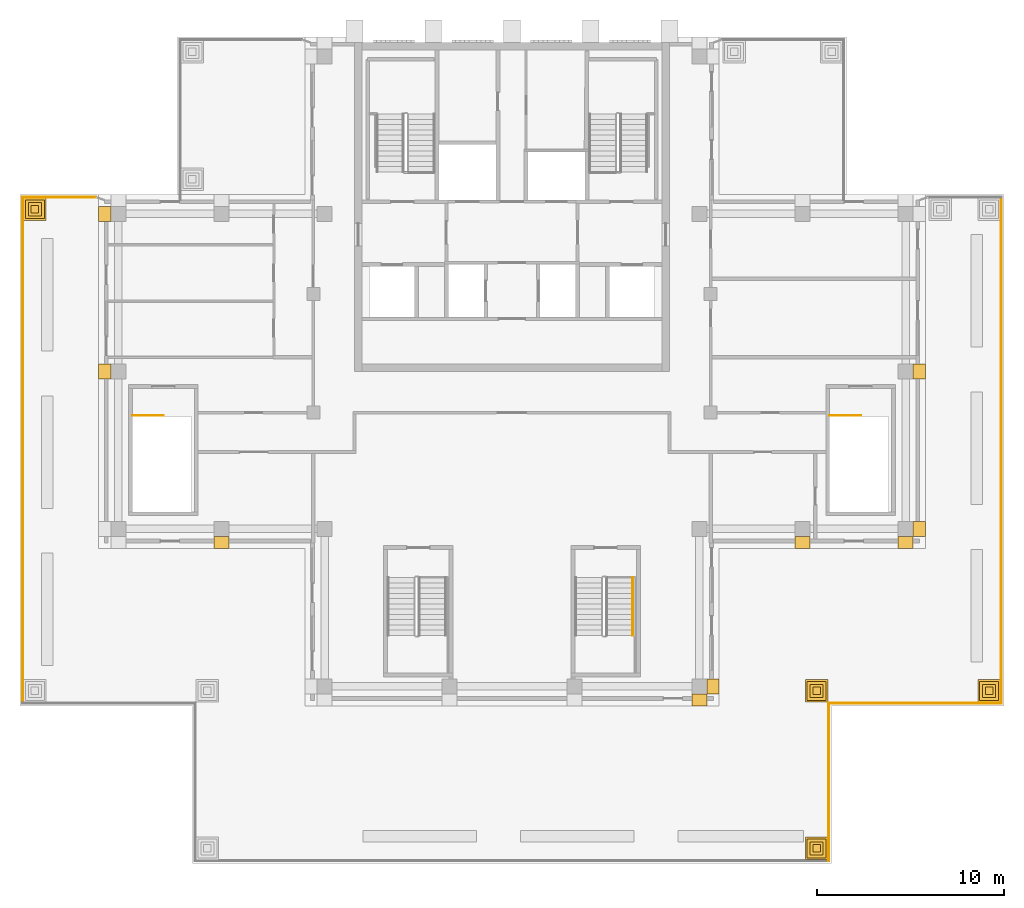
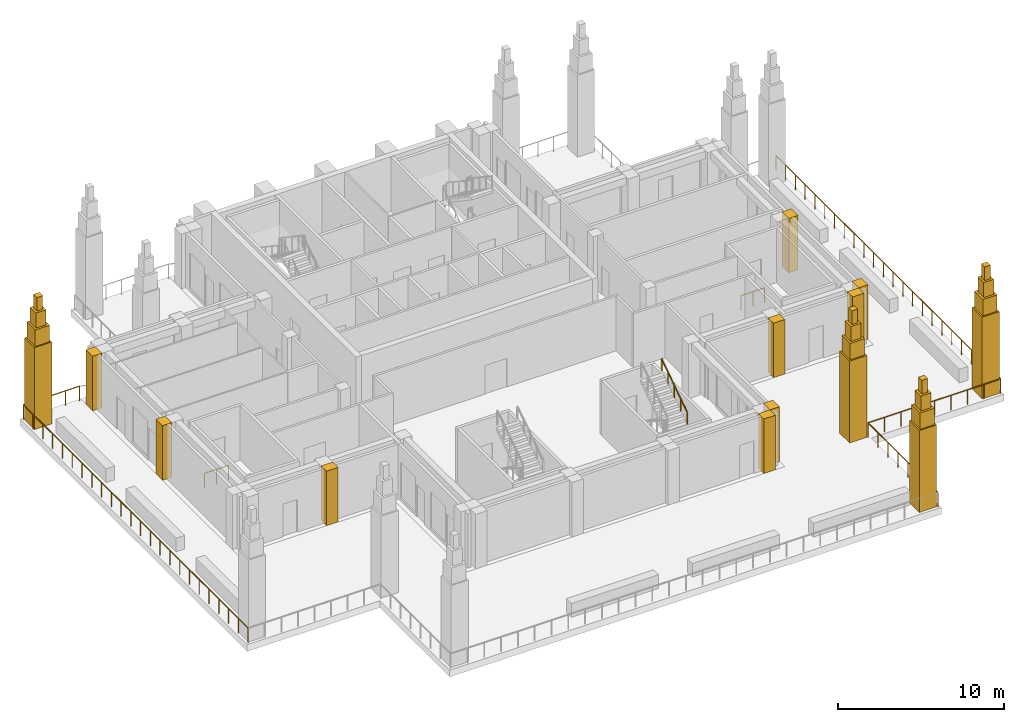
# One storey, part 8 of 10: 25 coverings, 8 railings.
"""IFC4 building model written with IfcOpenShell, lengths in metres."""

from ifc_helpers import new_model, si_unit, direction, frame, origin, origin_2d, place, context, subcontext, project, spatial, polyline, rectangle, outline, extrude, material, type_object, element, save


model = new_model("IFC4")

# Units and contexts
model_context = context("Model", 3, precision=1e-05, world=origin(), true_north=direction((0.0, 1.0)))
body_context = subcontext(model_context, "Body", "Model", "MODEL_VIEW")
ifc_project = project(units=[si_unit("LENGTHUNIT", "METRE"), si_unit("AREAUNIT", "SQUARE_METRE"), si_unit("VOLUMEUNIT", "CUBIC_METRE"), si_unit("PLANEANGLEUNIT", "RADIAN"), si_unit("MASSUNIT", "GRAM", prefix="KILO")], contexts=[model_context])

# Site, building, storey
site_placement = place(None, origin())
site = spatial("IfcSite", under=ifc_project, at=site_placement, CompositionType="ELEMENT")
building_placement = place(site_placement, origin())
building = spatial("IfcBuilding", under=site, at=building_placement, Name="Vermilion Ogive Tower", CompositionType="ELEMENT")
storey_placement = place(building_placement, frame((0.0, 0.0, 269.35009765625)))
storey = spatial("IfcBuildingStorey", under=building, at=storey_placement, Name="L71", CompositionType="ELEMENT", Elevation=269.35009765625)

# Railings
ifc_material_1 = material(Name="Steel S355 painted", Category="steel")
railing_type_1 = type_object("IfcRailingType", Name="Stair guard 1100", PredefinedType="GUARDRAIL", material=ifc_material_1)
railing_1_placement = place(storey_placement, frame((16.949951171875, 1.85009765625, 0.0)))
element("IfcRailing", 1, at=railing_1_placement, inside=storey, type_object=railing_type_1, Name="L71 ST8 top well guard 1", PredefinedType="GUARDRAIL", context=body_context, shape_type="SweptSolid", body=[
    extrude(rectangle(XDim=0.048095703125, YDim=0.048095703125, at=origin_2d()), frame((0.0, 0.0, 1.076171875), z_axis=(1.0, 0.0, 0.0), x_axis=(0.0, 1.0, 0.0)), (0.0, 0.0, 1.0), 1.650146484375),
    extrude(rectangle(XDim=0.0419921875, YDim=0.0419921875, at=origin_2d()), origin(), (0.0, 0.0, 1.0), 1.052001953125),
    extrude(rectangle(XDim=0.0419921875, YDim=0.0419921875, at=origin_2d()), frame((0.8251953125, 0.0, 0.0)), (0.0, 0.0, 1.0), 1.052001953125),
    extrude(rectangle(XDim=0.0419921875, YDim=0.0419921875, at=origin_2d()), frame((1.650146484375, 0.0, 0.0)), (0.0, 0.0, 1.0), 1.052001953125),
])
railing_2_placement = place(storey_placement, frame((-20.25, 1.85009765625, 0.0)))
element("IfcRailing", 2, at=railing_2_placement, inside=storey, type_object=railing_type_1, Name="L71 ST9 top well guard 1", PredefinedType="GUARDRAIL", context=body_context, shape_type="SweptSolid", body=[
    extrude(rectangle(XDim=0.048095703125, YDim=0.048095703125, at=origin_2d()), frame((0.0, 0.0, 1.076171875), z_axis=(1.0, 0.0, 0.0), x_axis=(0.0, 1.0, 0.0)), (0.0, 0.0, 1.0), 1.64990234375),
    extrude(rectangle(XDim=0.0419921875, YDim=0.0419921875, at=origin_2d()), origin(), (0.0, 0.0, 1.0), 1.052001953125),
    extrude(rectangle(XDim=0.0419921875, YDim=0.0419921875, at=origin_2d()), frame((0.824951171875, 0.0, 0.0)), (0.0, 0.0, 1.0), 1.052001953125),
    extrude(rectangle(XDim=0.0419921875, YDim=0.0419921875, at=origin_2d()), frame((1.64990234375, 0.0, 0.0)), (0.0, 0.0, 1.0), 1.052001953125),
])
ifc_material_2 = material(Name="Stainless steel", Category="steel")
railing_type_2 = type_object("IfcRailingType", Name="Stair handrail 900", PredefinedType="HANDRAIL", material=ifc_material_2)
railing_3_placement = place(storey_placement, frame((6.449951171875, -9.8798828125, 2.4375)))
element("IfcRailing", 3, at=railing_3_placement, inside=storey, type_object=railing_type_2, Name="L71 ST6 stair handrail 2", PredefinedType="HANDRAIL", context=body_context, shape_type="SweptSolid", body=[
    extrude(rectangle(XDim=0.048095703125, YDim=0.048095703125, at=origin_2d()), frame((0.0, 0.0, 0.8759765625), z_axis=(0.0, 0.830893310487, 0.556431762742), x_axis=(-1.0, 0.0, 0.0)), (0.0, 0.0, 1.0), 3.70654296875),
    extrude(rectangle(XDim=0.0419921875, YDim=0.0419921875, at=origin_2d()), origin(), (0.0, 0.0, 1.0), 0.851806640625),
    extrude(rectangle(XDim=0.0419921875, YDim=0.0419921875, at=origin_2d()), frame((0.0, 0.77001953125, 0.515625)), (0.0, 0.0, 1.0), 0.851806640625),
    extrude(rectangle(XDim=0.0419921875, YDim=0.0419921875, at=origin_2d()), frame((0.0, 1.5400390625, 1.03125)), (0.0, 0.0, 1.0), 0.851806640625),
    extrude(rectangle(XDim=0.0419921875, YDim=0.0419921875, at=origin_2d()), frame((0.0, 2.309814453125, 1.546875)), (0.0, 0.0, 1.0), 0.851806640625),
    extrude(rectangle(XDim=0.0419921875, YDim=0.0419921875, at=origin_2d()), frame((0.0, 3.079833984375, 2.0625)), (0.0, 0.0, 1.0), 0.851806640625),
])

# Coverings
ifc_material_3 = material(Name="Stone cladding", Category="masonry")
covering_type_1 = type_object("IfcCoveringType", Name="Stone pier", PredefinedType="CLADDING", material=ifc_material_3)
covering_1_placement = place(storey_placement, origin())
element("IfcCovering", 4, at=covering_1_placement, inside=storey, type_object=covering_type_1, Name="Stone pier P+0100-126S", PredefinedType="CLADDING", context=body_context, shape_type="SweptSolid", body=[
    extrude(outline(polyline([(10.39990234375, -13.64990234375), (9.60009765625, -13.64990234375), (9.60009765625, -13.0), (10.39990234375, -13.0), (10.39990234375, -13.64990234375)])), origin(), (0.0, 0.0, 1.0), 4.0),
])
covering_2_placement = place(storey_placement, origin())
element("IfcCovering", 5, at=covering_2_placement, inside=storey, type_object=covering_type_1, Name="Stone pier P+0100-126X1", PredefinedType="CLADDING", context=body_context, shape_type="SweptSolid", body=[
    extrude(outline(polyline([(11.050048828125, -13.0), (10.39990234375, -13.0), (10.39990234375, -12.199951171875), (11.050048828125, -12.199951171875), (11.050048828125, -13.0)])), origin(), (0.0, 0.0, 1.0), 4.0),
])
covering_3_placement = place(storey_placement, origin())
element("IfcCovering", 6, at=covering_3_placement, inside=storey, type_object=covering_type_1, Name="Stone pier P+0155-042", PredefinedType="CLADDING", context=body_context, shape_type="SweptSolid", body=[
    extrude(outline(polyline([(15.89990234375, -5.25), (15.10009765625, -5.25), (15.10009765625, -4.60009765625), (15.89990234375, -4.60009765625), (15.89990234375, -5.25)])), origin(), (0.0, 0.0, 1.0), 4.0),
])
covering_4_placement = place(storey_placement, origin())
element("IfcCovering", 7, at=covering_4_placement, inside=storey, type_object=covering_type_1, Name="Stone pier P+0210+042", PredefinedType="CLADDING", context=body_context, shape_type="SweptSolid", body=[
    extrude(outline(polyline([(21.39990234375, 4.60009765625), (22.050048828125, 4.60009765625), (22.050048828125, 3.800048828125), (21.39990234375, 3.800048828125), (21.39990234375, 3.800048828125), (21.39990234375, 4.60009765625)])), origin(), (0.0, 0.0, 1.0), 4.0),
])
covering_5_placement = place(storey_placement, origin())
element("IfcCovering", 8, at=covering_5_placement, inside=storey, type_object=covering_type_1, Name="Stone pier P+0210-042X2", PredefinedType="CLADDING", context=body_context, shape_type="SweptSolid", body=[
    extrude(outline(polyline([(21.39990234375, -5.25), (20.60009765625, -5.25), (20.60009765625, -4.60009765625), (21.39990234375, -4.60009765625), (21.39990234375, -5.25)])), origin(), (0.0, 0.0, 1.0), 4.0),
])
covering_6_placement = place(storey_placement, origin())
element("IfcCovering", 9, at=covering_6_placement, inside=storey, type_object=covering_type_1, Name="Stone pier P+0210-042E", PredefinedType="CLADDING", context=body_context, shape_type="SweptSolid", body=[
    extrude(outline(polyline([(22.050048828125, -4.60009765625), (21.39990234375, -4.60009765625), (21.39990234375, -3.800048828125), (22.050048828125, -3.800048828125), (22.050048828125, -4.60009765625)])), origin(), (0.0, 0.0, 1.0), 4.0),
])
covering_7_placement = place(storey_placement, origin())
element("IfcCovering", 10, at=covering_7_placement, inside=storey, type_object=covering_type_1, Name="Stone pier P-0155-042", PredefinedType="CLADDING", context=body_context, shape_type="SweptSolid", body=[
    extrude(outline(polyline([(-15.10009765625, -5.25), (-15.89990234375, -5.25), (-15.89990234375, -4.60009765625), (-15.10009765625, -4.60009765625), (-15.10009765625, -5.25)])), origin(), (0.0, 0.0, 1.0), 4.0),
])
covering_8_placement = place(storey_placement, origin())
element("IfcCovering", 11, at=covering_8_placement, inside=storey, type_object=covering_type_1, Name="Stone pier P-0210+042", PredefinedType="CLADDING", context=body_context, shape_type="SweptSolid", body=[
    extrude(outline(polyline([(-21.39990234375, 3.800048828125), (-22.050048828125, 3.800048828125), (-22.050048828125, 4.60009765625), (-21.39990234375, 4.60009765625), (-21.39990234375, 4.60009765625), (-21.39990234375, 3.800048828125)])), origin(), (0.0, 0.0, 1.0), 4.0),
])
covering_9_placement = place(storey_placement, origin())
element("IfcCovering", 12, at=covering_9_placement, inside=storey, type_object=covering_type_1, Name="Stone pier P-0210+126W", PredefinedType="CLADDING", context=body_context, shape_type="SweptSolid", body=[
    extrude(outline(polyline([(-22.050048828125, 13.0), (-21.39990234375, 13.0), (-21.39990234375, 12.199951171875), (-22.050048828125, 12.199951171875), (-22.050048828125, 13.0)])), origin(), (0.0, 0.0, 1.0), 4.0),
])
ifc_material_4 = material(Name="Stone cladding", Category="masonry")
covering_type_2 = type_object("IfcCoveringType", Name="Stone pinnacle", PredefinedType="CLADDING", material=ifc_material_4)
covering_10_placement = place(storey_placement, origin())
element("IfcCovering", 13, at=covering_10_placement, inside=storey, type_object=covering_type_2, Name="Stone pinnacle L711131A", PredefinedType="CLADDING", context=body_context, shape_type="SweptSolid", body=[
    extrude(outline(polyline([(-26.050048828125, 12.25), (-24.85009765625, 12.25), (-24.85009765625, 13.449951171875), (-26.050048828125, 13.449951171875), (-26.050048828125, 12.25)])), origin(), (0.0, 0.0, 1.0), 6.0),
])
covering_11_placement = place(storey_placement, frame((0.0, 0.0, 6.0)))
element("IfcCovering", 14, at=covering_11_placement, inside=storey, type_object=covering_type_2, Name="Stone pinnacle L711131B", PredefinedType="CLADDING", context=body_context, shape_type="SweptSolid", body=[
    extrude(outline(polyline([(-25.949951171875, 12.35009765625), (-24.949951171875, 12.35009765625), (-24.949951171875, 13.35009765625), (-25.949951171875, 13.35009765625), (-25.949951171875, 12.35009765625)])), origin(), (0.0, 0.0, 1.0), 1.199951171875),
])
covering_12_placement = place(storey_placement, frame((0.0, 0.0, 7.199951171875)))
element("IfcCovering", 15, at=covering_12_placement, inside=storey, type_object=covering_type_2, Name="Stone pinnacle L711131C", PredefinedType="CLADDING", context=body_context, shape_type="SweptSolid", body=[
    extrude(outline(polyline([(-25.800048828125, 12.5), (-25.10009765625, 12.5), (-25.10009765625, 13.199951171875), (-25.800048828125, 13.199951171875), (-25.800048828125, 12.5)])), origin(), (0.0, 0.0, 1.0), 1.099853515625),
])
covering_13_placement = place(storey_placement, frame((0.0, 0.0, 8.2998046875)))
element("IfcCovering", 16, at=covering_13_placement, inside=storey, type_object=covering_type_2, Name="Stone pinnacle L711131D", PredefinedType="CLADDING", context=body_context, shape_type="SweptSolid", body=[
    extrude(outline(polyline([(-25.64990234375, 12.64990234375), (-25.25, 12.64990234375), (-25.25, 13.050048828125), (-25.64990234375, 13.050048828125), (-25.64990234375, 12.64990234375)])), origin(), (0.0, 0.0, 1.0), 1.0),
])
covering_14_placement = place(storey_placement, origin())
element("IfcCovering", 17, at=covering_14_placement, inside=storey, type_object=covering_type_2, Name="Stone pinnacle L7111131A", PredefinedType="CLADDING", context=body_context, shape_type="SweptSolid", body=[
    extrude(outline(polyline([(24.85009765625, -13.449951171875), (26.050048828125, -13.449951171875), (26.050048828125, -12.25), (24.85009765625, -12.25), (24.85009765625, -13.449951171875)])), origin(), (0.0, 0.0, 1.0), 6.0),
])
covering_15_placement = place(storey_placement, frame((0.0, 0.0, 6.0)))
element("IfcCovering", 18, at=covering_15_placement, inside=storey, type_object=covering_type_2, Name="Stone pinnacle L7111131B", PredefinedType="CLADDING", context=body_context, shape_type="SweptSolid", body=[
    extrude(outline(polyline([(24.949951171875, -13.35009765625), (25.949951171875, -13.35009765625), (25.949951171875, -12.35009765625), (24.949951171875, -12.35009765625), (24.949951171875, -13.35009765625)])), origin(), (0.0, 0.0, 1.0), 1.199951171875),
])
covering_16_placement = place(storey_placement, frame((0.0, 0.0, 7.199951171875)))
element("IfcCovering", 19, at=covering_16_placement, inside=storey, type_object=covering_type_2, Name="Stone pinnacle L7111131C", PredefinedType="CLADDING", context=body_context, shape_type="SweptSolid", body=[
    extrude(outline(polyline([(25.10009765625, -13.199951171875), (25.800048828125, -13.199951171875), (25.800048828125, -12.5), (25.10009765625, -12.5), (25.10009765625, -13.199951171875)])), origin(), (0.0, 0.0, 1.0), 1.099853515625),
])
covering_17_placement = place(storey_placement, frame((0.0, 0.0, 8.2998046875)))
element("IfcCovering", 20, at=covering_17_placement, inside=storey, type_object=covering_type_2, Name="Stone pinnacle L7111131D", PredefinedType="CLADDING", context=body_context, shape_type="SweptSolid", body=[
    extrude(outline(polyline([(25.25, -13.050048828125), (25.64990234375, -13.050048828125), (25.64990234375, -12.64990234375), (25.25, -12.64990234375), (25.25, -13.050048828125)])), origin(), (0.0, 0.0, 1.0), 1.0),
])
covering_18_placement = place(storey_placement, origin())
element("IfcCovering", 21, at=covering_18_placement, inside=storey, type_object=covering_type_2, Name="Stone pinnacle L7111141A", PredefinedType="CLADDING", context=body_context, shape_type="SweptSolid", body=[
    extrude(outline(polyline([(15.64990234375, -13.449951171875), (16.85009765625, -13.449951171875), (16.85009765625, -12.25), (15.64990234375, -12.25), (15.64990234375, -13.449951171875)])), origin(), (0.0, 0.0, 1.0), 6.0),
])
covering_19_placement = place(storey_placement, frame((0.0, 0.0, 6.0)))
element("IfcCovering", 22, at=covering_19_placement, inside=storey, type_object=covering_type_2, Name="Stone pinnacle L7111141B", PredefinedType="CLADDING", context=body_context, shape_type="SweptSolid", body=[
    extrude(outline(polyline([(15.75, -13.35009765625), (16.75, -13.35009765625), (16.75, -12.35009765625), (15.75, -12.35009765625), (15.75, -13.35009765625)])), origin(), (0.0, 0.0, 1.0), 1.199951171875),
])
covering_20_placement = place(storey_placement, frame((0.0, 0.0, 7.199951171875)))
element("IfcCovering", 23, at=covering_20_placement, inside=storey, type_object=covering_type_2, Name="Stone pinnacle L7111141C", PredefinedType="CLADDING", context=body_context, shape_type="SweptSolid", body=[
    extrude(outline(polyline([(15.89990234375, -13.199951171875), (16.60009765625, -13.199951171875), (16.60009765625, -12.5), (15.89990234375, -12.5), (15.89990234375, -13.199951171875)])), origin(), (0.0, 0.0, 1.0), 1.099853515625),
])
covering_21_placement = place(storey_placement, frame((0.0, 0.0, 8.2998046875)))
element("IfcCovering", 24, at=covering_21_placement, inside=storey, type_object=covering_type_2, Name="Stone pinnacle L7111141D", PredefinedType="CLADDING", context=body_context, shape_type="SweptSolid", body=[
    extrude(outline(polyline([(16.050048828125, -13.050048828125), (16.449951171875, -13.050048828125), (16.449951171875, -12.64990234375), (16.050048828125, -12.64990234375), (16.050048828125, -13.050048828125)])), origin(), (0.0, 0.0, 1.0), 1.0),
])
covering_22_placement = place(storey_placement, origin())
element("IfcCovering", 25, at=covering_22_placement, inside=storey, type_object=covering_type_2, Name="Stone pinnacle L7111151A", PredefinedType="CLADDING", context=body_context, shape_type="SweptSolid", body=[
    extrude(outline(polyline([(15.64990234375, -21.85009765625), (16.85009765625, -21.85009765625), (16.85009765625, -20.64990234375), (15.64990234375, -20.64990234375), (15.64990234375, -21.85009765625)])), origin(), (0.0, 0.0, 1.0), 6.0),
])
covering_23_placement = place(storey_placement, frame((0.0, 0.0, 6.0)))
element("IfcCovering", 26, at=covering_23_placement, inside=storey, type_object=covering_type_2, Name="Stone pinnacle L7111151B", PredefinedType="CLADDING", context=body_context, shape_type="SweptSolid", body=[
    extrude(outline(polyline([(15.75, -21.75), (16.75, -21.75), (16.75, -20.75), (15.75, -20.75), (15.75, -21.75)])), origin(), (0.0, 0.0, 1.0), 1.199951171875),
])
covering_24_placement = place(storey_placement, frame((0.0, 0.0, 7.199951171875)))
element("IfcCovering", 27, at=covering_24_placement, inside=storey, type_object=covering_type_2, Name="Stone pinnacle L7111151C", PredefinedType="CLADDING", context=body_context, shape_type="SweptSolid", body=[
    extrude(outline(polyline([(15.89990234375, -21.60009765625), (16.60009765625, -21.60009765625), (16.60009765625, -20.89990234375), (15.89990234375, -20.89990234375), (15.89990234375, -21.60009765625)])), origin(), (0.0, 0.0, 1.0), 1.099853515625),
])
covering_25_placement = place(storey_placement, frame((0.0, 0.0, 8.2998046875)))
element("IfcCovering", 28, at=covering_25_placement, inside=storey, type_object=covering_type_2, Name="Stone pinnacle L7111151D", PredefinedType="CLADDING", context=body_context, shape_type="SweptSolid", body=[
    extrude(outline(polyline([(16.050048828125, -21.449951171875), (16.449951171875, -21.449951171875), (16.449951171875, -21.050048828125), (16.050048828125, -21.050048828125), (16.050048828125, -21.449951171875)])), origin(), (0.0, 0.0, 1.0), 1.0),
])

# Railings
ifc_material_5 = material(Name="Stainless steel and glass", Category="steel")
railing_type_3 = type_object("IfcRailingType", Name="Terrace guard", PredefinedType="GUARDRAIL", material=ifc_material_5)
railing_4_placement = place(storey_placement, frame((26.10009765625, 13.5, 0.0)))
element("IfcRailing", 29, at=railing_4_placement, inside=storey, type_object=railing_type_3, Name="Terrace guard 1.1.3", PredefinedType="GUARDRAIL", context=body_context, shape_type="SweptSolid", body=[
    extrude(rectangle(XDim=0.048095703125, YDim=0.048095703125, at=origin_2d()), frame((0.0, 0.0, 1.076171875), z_axis=(0.0, -1.0, 0.0), x_axis=(1.0, 0.0, 0.0)), (0.0, 0.0, 1.0), 27.0),
    extrude(rectangle(XDim=0.0419921875, YDim=0.0419921875, at=origin_2d()), origin(), (0.0, 0.0, 1.0), 1.052001953125),
    extrude(rectangle(XDim=0.0419921875, YDim=0.0419921875, at=origin_2d()), frame((0.0, -1.173828125, 0.0)), (0.0, 0.0, 1.0), 1.052001953125),
    extrude(rectangle(XDim=0.0419921875, YDim=0.0419921875, at=origin_2d()), frame((0.0, -2.347900390625, 0.0)), (0.0, 0.0, 1.0), 1.052001953125),
    extrude(rectangle(XDim=0.0419921875, YDim=0.0419921875, at=origin_2d()), frame((0.0, -3.521728515625, 0.0)), (0.0, 0.0, 1.0), 1.052001953125),
    extrude(rectangle(XDim=0.0419921875, YDim=0.0419921875, at=origin_2d()), frame((0.0, -4.695556640625, 0.0)), (0.0, 0.0, 1.0), 1.052001953125),
    extrude(rectangle(XDim=0.0419921875, YDim=0.0419921875, at=origin_2d()), frame((0.0, -5.86962890625, 0.0)), (0.0, 0.0, 1.0), 1.052001953125),
    extrude(rectangle(XDim=0.0419921875, YDim=0.0419921875, at=origin_2d()), frame((0.0, -7.04345703125, 0.0)), (0.0, 0.0, 1.0), 1.052001953125),
    extrude(rectangle(XDim=0.0419921875, YDim=0.0419921875, at=origin_2d()), frame((0.0, -8.21728515625, 0.0)), (0.0, 0.0, 1.0), 1.052001953125),
    extrude(rectangle(XDim=0.0419921875, YDim=0.0419921875, at=origin_2d()), frame((0.0, -9.391357421875, 0.0)), (0.0, 0.0, 1.0), 1.052001953125),
    extrude(rectangle(XDim=0.0419921875, YDim=0.0419921875, at=origin_2d()), frame((0.0, -10.565185546875, 0.0)), (0.0, 0.0, 1.0), 1.052001953125),
    extrude(rectangle(XDim=0.0419921875, YDim=0.0419921875, at=origin_2d()), frame((0.0, -11.739013671875, 0.0)), (0.0, 0.0, 1.0), 1.052001953125),
    extrude(rectangle(XDim=0.0419921875, YDim=0.0419921875, at=origin_2d()), frame((0.0, -12.9130859375, 0.0)), (0.0, 0.0, 1.0), 1.052001953125),
    extrude(rectangle(XDim=0.0419921875, YDim=0.0419921875, at=origin_2d()), frame((0.0, -14.0869140625, 0.0)), (0.0, 0.0, 1.0), 1.052001953125),
    extrude(rectangle(XDim=0.0419921875, YDim=0.0419921875, at=origin_2d()), frame((0.0, -15.260986328125, 0.0)), (0.0, 0.0, 1.0), 1.052001953125),
    extrude(rectangle(XDim=0.0419921875, YDim=0.0419921875, at=origin_2d()), frame((0.0, -16.434814453125, 0.0)), (0.0, 0.0, 1.0), 1.052001953125),
    extrude(rectangle(XDim=0.0419921875, YDim=0.0419921875, at=origin_2d()), frame((0.0, -17.608642578125, 0.0)), (0.0, 0.0, 1.0), 1.052001953125),
    extrude(rectangle(XDim=0.0419921875, YDim=0.0419921875, at=origin_2d()), frame((0.0, -18.78271484375, 0.0)), (0.0, 0.0, 1.0), 1.052001953125),
    extrude(rectangle(XDim=0.0419921875, YDim=0.0419921875, at=origin_2d()), frame((0.0, -19.95654296875, 0.0)), (0.0, 0.0, 1.0), 1.052001953125),
    extrude(rectangle(XDim=0.0419921875, YDim=0.0419921875, at=origin_2d()), frame((0.0, -21.13037109375, 0.0)), (0.0, 0.0, 1.0), 1.052001953125),
    extrude(rectangle(XDim=0.0419921875, YDim=0.0419921875, at=origin_2d()), frame((0.0, -22.304443359375, 0.0)), (0.0, 0.0, 1.0), 1.052001953125),
    extrude(rectangle(XDim=0.0419921875, YDim=0.0419921875, at=origin_2d()), frame((0.0, -23.478271484375, 0.0)), (0.0, 0.0, 1.0), 1.052001953125),
    extrude(rectangle(XDim=0.0419921875, YDim=0.0419921875, at=origin_2d()), frame((0.0, -24.652099609375, 0.0)), (0.0, 0.0, 1.0), 1.052001953125),
    extrude(rectangle(XDim=0.0419921875, YDim=0.0419921875, at=origin_2d()), frame((0.0, -25.826171875, 0.0)), (0.0, 0.0, 1.0), 1.052001953125),
    extrude(rectangle(XDim=0.0419921875, YDim=0.0419921875, at=origin_2d()), frame((0.0, -27.0, 0.0)), (0.0, 0.0, 1.0), 1.052001953125),
])
railing_5_placement = place(storey_placement, frame((26.10009765625, -13.5, 0.0)))
element("IfcRailing", 30, at=railing_5_placement, inside=storey, type_object=railing_type_3, Name="Terrace guard 1.1.4", PredefinedType="GUARDRAIL", context=body_context, shape_type="SweptSolid", body=[
    extrude(rectangle(XDim=0.048095703125, YDim=0.048095703125, at=origin_2d()), frame((0.0, 0.0, 1.076171875), z_axis=(-1.0, 0.0, 0.0), x_axis=(0.0, -1.0, 0.0)), (0.0, 0.0, 1.0), 9.2001953125),
    extrude(rectangle(XDim=0.0419921875, YDim=0.0419921875, at=origin_2d()), origin(), (0.0, 0.0, 1.0), 1.052001953125),
    extrude(rectangle(XDim=0.0419921875, YDim=0.0419921875, at=origin_2d()), frame((-1.14990234375, 0.0, 0.0)), (0.0, 0.0, 1.0), 1.052001953125),
    extrude(rectangle(XDim=0.0419921875, YDim=0.0419921875, at=origin_2d()), frame((-2.300048828125, 0.0, 0.0)), (0.0, 0.0, 1.0), 1.052001953125),
    extrude(rectangle(XDim=0.0419921875, YDim=0.0419921875, at=origin_2d()), frame((-3.4501953125, 0.0, 0.0)), (0.0, 0.0, 1.0), 1.052001953125),
    extrude(rectangle(XDim=0.0419921875, YDim=0.0419921875, at=origin_2d()), frame((-4.60009765625, 0.0, 0.0)), (0.0, 0.0, 1.0), 1.052001953125),
    extrude(rectangle(XDim=0.0419921875, YDim=0.0419921875, at=origin_2d()), frame((-5.75, 0.0, 0.0)), (0.0, 0.0, 1.0), 1.052001953125),
    extrude(rectangle(XDim=0.0419921875, YDim=0.0419921875, at=origin_2d()), frame((-6.900146484375, 0.0, 0.0)), (0.0, 0.0, 1.0), 1.052001953125),
    extrude(rectangle(XDim=0.0419921875, YDim=0.0419921875, at=origin_2d()), frame((-8.05029296875, 0.0, 0.0)), (0.0, 0.0, 1.0), 1.052001953125),
    extrude(rectangle(XDim=0.0419921875, YDim=0.0419921875, at=origin_2d()), frame((-9.2001953125, 0.0, 0.0)), (0.0, 0.0, 1.0), 1.052001953125),
])
railing_6_placement = place(storey_placement, frame((16.89990234375, -13.5, 0.0)))
element("IfcRailing", 31, at=railing_6_placement, inside=storey, type_object=railing_type_3, Name="Terrace guard 1.1.5", PredefinedType="GUARDRAIL", context=body_context, shape_type="SweptSolid", body=[
    extrude(rectangle(XDim=0.048095703125, YDim=0.048095703125, at=origin_2d()), frame((0.0, 0.0, 1.076171875), z_axis=(0.0, -1.0, 0.0), x_axis=(1.0, 0.0, 0.0)), (0.0, 0.0, 1.0), 8.39990234375),
    extrude(rectangle(XDim=0.0419921875, YDim=0.0419921875, at=origin_2d()), origin(), (0.0, 0.0, 1.0), 1.052001953125),
    extrude(rectangle(XDim=0.0419921875, YDim=0.0419921875, at=origin_2d()), frame((0.0, -1.199951171875, 0.0)), (0.0, 0.0, 1.0), 1.052001953125),
    extrude(rectangle(XDim=0.0419921875, YDim=0.0419921875, at=origin_2d()), frame((0.0, -2.39990234375, 0.0)), (0.0, 0.0, 1.0), 1.052001953125),
    extrude(rectangle(XDim=0.0419921875, YDim=0.0419921875, at=origin_2d()), frame((0.0, -3.599853515625, 0.0)), (0.0, 0.0, 1.0), 1.052001953125),
    extrude(rectangle(XDim=0.0419921875, YDim=0.0419921875, at=origin_2d()), frame((0.0, -4.800048828125, 0.0)), (0.0, 0.0, 1.0), 1.052001953125),
    extrude(rectangle(XDim=0.0419921875, YDim=0.0419921875, at=origin_2d()), frame((0.0, -6.0, 0.0)), (0.0, 0.0, 1.0), 1.052001953125),
    extrude(rectangle(XDim=0.0419921875, YDim=0.0419921875, at=origin_2d()), frame((0.0, -7.199951171875, 0.0)), (0.0, 0.0, 1.0), 1.052001953125),
    extrude(rectangle(XDim=0.0419921875, YDim=0.0419921875, at=origin_2d()), frame((0.0, -8.39990234375, 0.0)), (0.0, 0.0, 1.0), 1.052001953125),
])
railing_7_placement = place(storey_placement, frame((-26.10009765625, -13.5, 0.0)))
element("IfcRailing", 32, at=railing_7_placement, inside=storey, type_object=railing_type_3, Name="Terrace guard 1.1.9", PredefinedType="GUARDRAIL", context=body_context, shape_type="SweptSolid", body=[
    extrude(rectangle(XDim=0.048095703125, YDim=0.048095703125, at=origin_2d()), frame((0.0, 0.0, 1.076171875), z_axis=(0.0, 1.0, 0.0), x_axis=(-1.0, 0.0, 0.0)), (0.0, 0.0, 1.0), 27.0),
    extrude(rectangle(XDim=0.0419921875, YDim=0.0419921875, at=origin_2d()), origin(), (0.0, 0.0, 1.0), 1.052001953125),
    extrude(rectangle(XDim=0.0419921875, YDim=0.0419921875, at=origin_2d()), frame((0.0, 1.173828125, 0.0)), (0.0, 0.0, 1.0), 1.052001953125),
    extrude(rectangle(XDim=0.0419921875, YDim=0.0419921875, at=origin_2d()), frame((0.0, 2.347900390625, 0.0)), (0.0, 0.0, 1.0), 1.052001953125),
    extrude(rectangle(XDim=0.0419921875, YDim=0.0419921875, at=origin_2d()), frame((0.0, 3.521728515625, 0.0)), (0.0, 0.0, 1.0), 1.052001953125),
    extrude(rectangle(XDim=0.0419921875, YDim=0.0419921875, at=origin_2d()), frame((0.0, 4.695556640625, 0.0)), (0.0, 0.0, 1.0), 1.052001953125),
    extrude(rectangle(XDim=0.0419921875, YDim=0.0419921875, at=origin_2d()), frame((0.0, 5.86962890625, 0.0)), (0.0, 0.0, 1.0), 1.052001953125),
    extrude(rectangle(XDim=0.0419921875, YDim=0.0419921875, at=origin_2d()), frame((0.0, 7.04345703125, 0.0)), (0.0, 0.0, 1.0), 1.052001953125),
    extrude(rectangle(XDim=0.0419921875, YDim=0.0419921875, at=origin_2d()), frame((0.0, 8.21728515625, 0.0)), (0.0, 0.0, 1.0), 1.052001953125),
    extrude(rectangle(XDim=0.0419921875, YDim=0.0419921875, at=origin_2d()), frame((0.0, 9.391357421875, 0.0)), (0.0, 0.0, 1.0), 1.052001953125),
    extrude(rectangle(XDim=0.0419921875, YDim=0.0419921875, at=origin_2d()), frame((0.0, 10.565185546875, 0.0)), (0.0, 0.0, 1.0), 1.052001953125),
    extrude(rectangle(XDim=0.0419921875, YDim=0.0419921875, at=origin_2d()), frame((0.0, 11.739013671875, 0.0)), (0.0, 0.0, 1.0), 1.052001953125),
    extrude(rectangle(XDim=0.0419921875, YDim=0.0419921875, at=origin_2d()), frame((0.0, 12.9130859375, 0.0)), (0.0, 0.0, 1.0), 1.052001953125),
    extrude(rectangle(XDim=0.0419921875, YDim=0.0419921875, at=origin_2d()), frame((0.0, 14.0869140625, 0.0)), (0.0, 0.0, 1.0), 1.052001953125),
    extrude(rectangle(XDim=0.0419921875, YDim=0.0419921875, at=origin_2d()), frame((0.0, 15.260986328125, 0.0)), (0.0, 0.0, 1.0), 1.052001953125),
    extrude(rectangle(XDim=0.0419921875, YDim=0.0419921875, at=origin_2d()), frame((0.0, 16.434814453125, 0.0)), (0.0, 0.0, 1.0), 1.052001953125),
    extrude(rectangle(XDim=0.0419921875, YDim=0.0419921875, at=origin_2d()), frame((0.0, 17.608642578125, 0.0)), (0.0, 0.0, 1.0), 1.052001953125),
    extrude(rectangle(XDim=0.0419921875, YDim=0.0419921875, at=origin_2d()), frame((0.0, 18.78271484375, 0.0)), (0.0, 0.0, 1.0), 1.052001953125),
    extrude(rectangle(XDim=0.0419921875, YDim=0.0419921875, at=origin_2d()), frame((0.0, 19.95654296875, 0.0)), (0.0, 0.0, 1.0), 1.052001953125),
    extrude(rectangle(XDim=0.0419921875, YDim=0.0419921875, at=origin_2d()), frame((0.0, 21.13037109375, 0.0)), (0.0, 0.0, 1.0), 1.052001953125),
    extrude(rectangle(XDim=0.0419921875, YDim=0.0419921875, at=origin_2d()), frame((0.0, 22.304443359375, 0.0)), (0.0, 0.0, 1.0), 1.052001953125),
    extrude(rectangle(XDim=0.0419921875, YDim=0.0419921875, at=origin_2d()), frame((0.0, 23.478271484375, 0.0)), (0.0, 0.0, 1.0), 1.052001953125),
    extrude(rectangle(XDim=0.0419921875, YDim=0.0419921875, at=origin_2d()), frame((0.0, 24.652099609375, 0.0)), (0.0, 0.0, 1.0), 1.052001953125),
    extrude(rectangle(XDim=0.0419921875, YDim=0.0419921875, at=origin_2d()), frame((0.0, 25.826171875, 0.0)), (0.0, 0.0, 1.0), 1.052001953125),
    extrude(rectangle(XDim=0.0419921875, YDim=0.0419921875, at=origin_2d()), frame((0.0, 27.0, 0.0)), (0.0, 0.0, 1.0), 1.052001953125),
])
railing_8_placement = place(storey_placement, frame((-26.10009765625, 13.5, 0.0)))
element("IfcRailing", 33, at=railing_8_placement, inside=storey, type_object=railing_type_3, Name="Terrace guard 1.1.10", PredefinedType="GUARDRAIL", context=body_context, shape_type="SweptSolid", body=[
    extrude(rectangle(XDim=0.048095703125, YDim=0.048095703125, at=origin_2d()), frame((0.0, 0.0, 1.076171875), z_axis=(1.0, 0.0, 0.0), x_axis=(0.0, 1.0, 0.0)), (0.0, 0.0, 1.0), 3.900146484375),
    extrude(rectangle(XDim=0.0419921875, YDim=0.0419921875, at=origin_2d()), origin(), (0.0, 0.0, 1.0), 1.052001953125),
    extrude(rectangle(XDim=0.0419921875, YDim=0.0419921875, at=origin_2d()), frame((0.97509765625, 0.0, 0.0)), (0.0, 0.0, 1.0), 1.052001953125),
    extrude(rectangle(XDim=0.0419921875, YDim=0.0419921875, at=origin_2d()), frame((1.9501953125, 0.0, 0.0)), (0.0, 0.0, 1.0), 1.052001953125),
    extrude(rectangle(XDim=0.0419921875, YDim=0.0419921875, at=origin_2d()), frame((2.925048828125, 0.0, 0.0)), (0.0, 0.0, 1.0), 1.052001953125),
    extrude(rectangle(XDim=0.0419921875, YDim=0.0419921875, at=origin_2d()), frame((3.900146484375, 0.0, 0.0)), (0.0, 0.0, 1.0), 1.052001953125),
])

save(model, "model.ifc")
